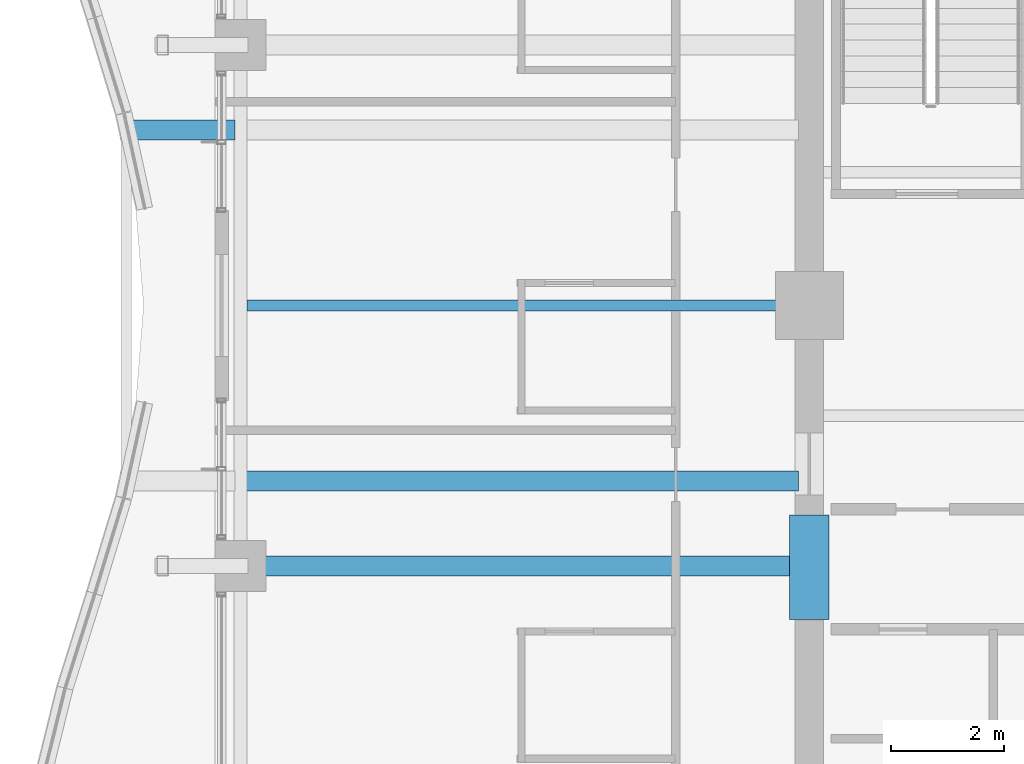
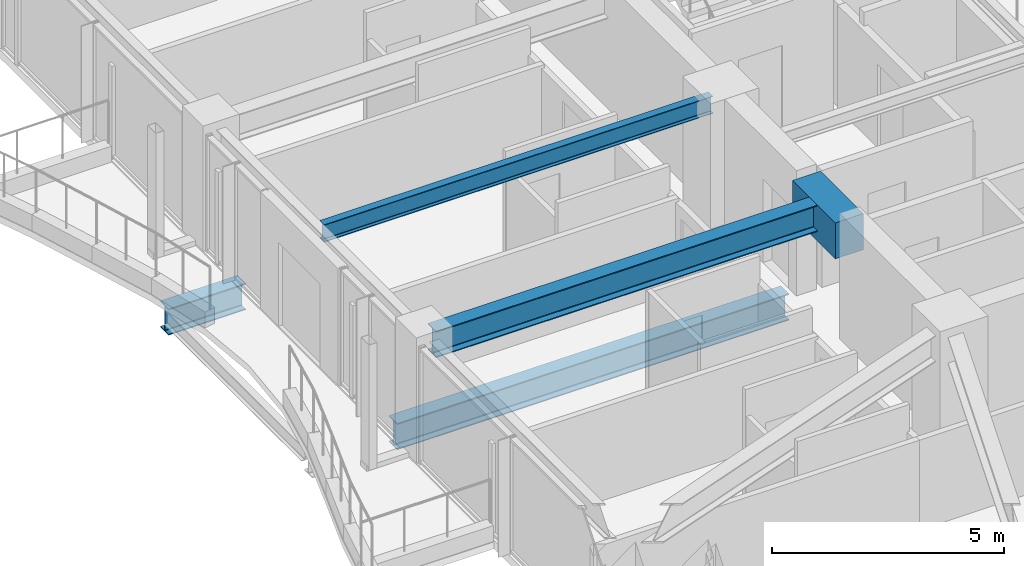
# One storey, part 7 of 35: 5 beams.
"""IFC4 building model written with IfcOpenShell, lengths in metres."""

from ifc_helpers import new_model, si_unit, direction, frame, origin, origin_2d, place, context, subcontext, project, spatial, rectangle, i_section, extrude, material, material_profile, profile_set, type_object, element, save


model = new_model("IFC4")

# Units and contexts
model_context = context("Model", 3, precision=1e-05, world=origin(), true_north=direction((0.0, 1.0)))
body_context = subcontext(model_context, "Body", "Model", "MODEL_VIEW")
ifc_project = project(units=[si_unit("LENGTHUNIT", "METRE"), si_unit("AREAUNIT", "SQUARE_METRE"), si_unit("VOLUMEUNIT", "CUBIC_METRE"), si_unit("PLANEANGLEUNIT", "RADIAN"), si_unit("MASSUNIT", "GRAM", prefix="KILO")], contexts=[model_context])

# Site, building, storey
site_placement = place(None, origin())
site = spatial("IfcSite", under=ifc_project, at=site_placement, CompositionType="ELEMENT")
building_placement = place(site_placement, origin())
building = spatial("IfcBuilding", under=site, at=building_placement, Name="Kolvaren Belvedere", CompositionType="ELEMENT")
storey_placement = place(building_placement, frame((0.0, 0.0, 183.300048828125)))
storey = spatial("IfcBuildingStorey", under=building, at=storey_placement, Name="L53", CompositionType="ELEMENT", Elevation=183.300048828125)

# Beams
ifc_material_1 = material(Name="Structural steel ASTM A992 Grade 50", Category="steel")
ifc_material_profile_1 = material_profile(ifc_material_1, i_section(OverallWidth=0.35498046875, OverallDepth=0.696044921875, WebThickness=0.015380859375, FlangeThickness=0.02490234375, FilletRadius=0.02197265625, at=origin_2d()), Name="W27X146")
ifc_profile_set_1 = profile_set([ifc_material_profile_1], Name="Structural steel ASTM A992 Grade 50")
beam_type_1 = type_object("IfcBeamType", Name="BM-CANT-BAL", PredefinedType="BEAM", material=ifc_profile_set_1)
beam_1_placement = place(storey_placement, frame((-20.044921875, 3.10009765625, -0.568115234375), z_axis=(-1.0, 0.0, 0.0), x_axis=(0.0, -1.0, 0.0)))
element("IfcBeam", 1, at=beam_1_placement, inside=storey, type_object=beam_type_1, Name="L53 Planted Balcony Cantilever BAL-W-2", PredefinedType="BEAM", context=body_context, shape_type="SweptSolid", body=[
    extrude(i_section(OverallWidth=0.35498046875, OverallDepth=0.696044921875, WebThickness=0.015380859375, FlangeThickness=0.02490234375, FilletRadius=0.02197265625, at=origin_2d()), origin(), (0.0, 0.0, 1.0), 1.91943359375),
])
ifc_material_2 = material(Name="Structural steel ASTM A992 Grade 50", Category="steel")
ifc_material_profile_2 = material_profile(ifc_material_2, i_section(OverallWidth=0.35498046875, OverallDepth=0.696044921875, WebThickness=0.015380859375, FlangeThickness=0.02490234375, FilletRadius=0.02197265625, at=origin_2d()), Name="W27X146")
ifc_profile_set_2 = profile_set([ifc_material_profile_2], Name="Structural steel ASTM A992 Grade 50")
beam_type_2 = type_object("IfcBeamType", Name="BM-GIRD-W27X146", PredefinedType="BEAM", material=ifc_profile_set_2)
beam_2_placement = place(storey_placement, frame((-10.090087890625, -3.10009765625, -0.568115234375), z_axis=(-1.0, 0.0, 0.0), x_axis=(0.0, -1.0, 0.0)))
element("IfcBeam", 2, at=beam_2_placement, inside=storey, type_object=beam_type_2, Name="L53 Balcony Interior Back-Span Girder BAL-W-1", PredefinedType="BEAM", context=body_context, shape_type="SweptSolid", body=[
    extrude(i_section(OverallWidth=0.35498046875, OverallDepth=0.696044921875, WebThickness=0.015380859375, FlangeThickness=0.02490234375, FilletRadius=0.02197265625, at=origin_2d()), origin(), (0.0, 0.0, 1.0), 9.764892578125),
])
beam_3_placement = place(storey_placement, frame((-10.14990234375, -4.60009765625, 2.73193359375), z_axis=(-1.0, 0.0, 0.0), x_axis=(0.0, -1.0, 0.0)))
element("IfcBeam", 3, at=beam_3_placement, inside=storey, type_object=beam_type_2, Name="L53 West Radial Girder M", PredefinedType="BEAM", context=body_context, shape_type="SweptSolid", body=[
    extrude(i_section(OverallWidth=0.35498046875, OverallDepth=0.696044921875, WebThickness=0.015380859375, FlangeThickness=0.02490234375, FilletRadius=0.02197265625, at=origin_2d()), origin(), (0.0, 0.0, 1.0), 9.59765625),
])
ifc_material_3 = material(Name="Structural steel ASTM A992 Grade 50", Category="steel")
ifc_material_profile_3 = material_profile(ifc_material_3, i_section(OverallWidth=0.19091796875, OverallDepth=0.4599609375, WebThickness=0.010009765625, FlangeThickness=0.01611328125, FilletRadius=0.014892578125, at=origin_2d()), Name="W18X55")
ifc_profile_set_3 = profile_set([ifc_material_profile_3], Name="Structural steel ASTM A992 Grade 50")
beam_type_3 = type_object("IfcBeamType", Name="BM-JOIST-W18X55", PredefinedType="BEAM", material=ifc_profile_set_3)
beam_4_placement = place(storey_placement, frame((-10.14990234375, 0.0, 2.849853515625), z_axis=(-1.0, 0.0, 0.0), x_axis=(0.0, -1.0, 0.0)))
element("IfcBeam", 4, at=beam_4_placement, inside=storey, type_object=beam_type_3, Name="L53 West Centre Floor Beam", PredefinedType="BEAM", context=body_context, shape_type="SweptSolid", body=[
    extrude(i_section(OverallWidth=0.19091796875, OverallDepth=0.4599609375, WebThickness=0.010009765625, FlangeThickness=0.01611328125, FilletRadius=0.014892578125, at=origin_2d()), origin(), (0.0, 0.0, 1.0), 9.685546875),
])
ifc_material_4 = material(Name="Concrete C60/75", Category="concrete")
ifc_material_profile_4 = material_profile(ifc_material_4, rectangle(XDim=0.699951171875, YDim=0.949951171875, at=origin_2d()), Name="RC 700X950")
ifc_profile_set_4 = profile_set([ifc_material_profile_4], Name="Concrete C60/75")
beam_type_4 = type_object("IfcBeamType", Name="BM-LINT-950", PredefinedType="LINTEL", material=ifc_profile_set_4)
beam_5_placement = place(storey_placement, frame((-9.89990234375, -5.550048828125, 2.60498046875), z_axis=(0.0, 1.0, 0.0), x_axis=(-1.0, 0.0, 0.0)))
element("IfcBeam", 5, at=beam_5_placement, inside=storey, type_object=beam_type_4, Name="L53 West Core Coupling Lintel", PredefinedType="LINTEL", context=body_context, shape_type="SweptSolid", body=[
    extrude(rectangle(XDim=0.699951171875, YDim=0.949951171875, at=origin_2d()), origin(), (0.0, 0.0, 1.0), 1.85009765625),
])

save(model, "model.ifc")
